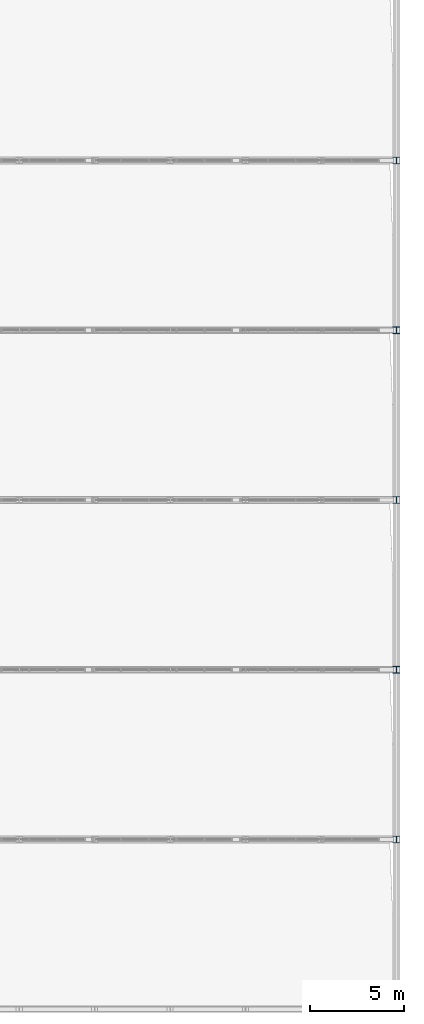
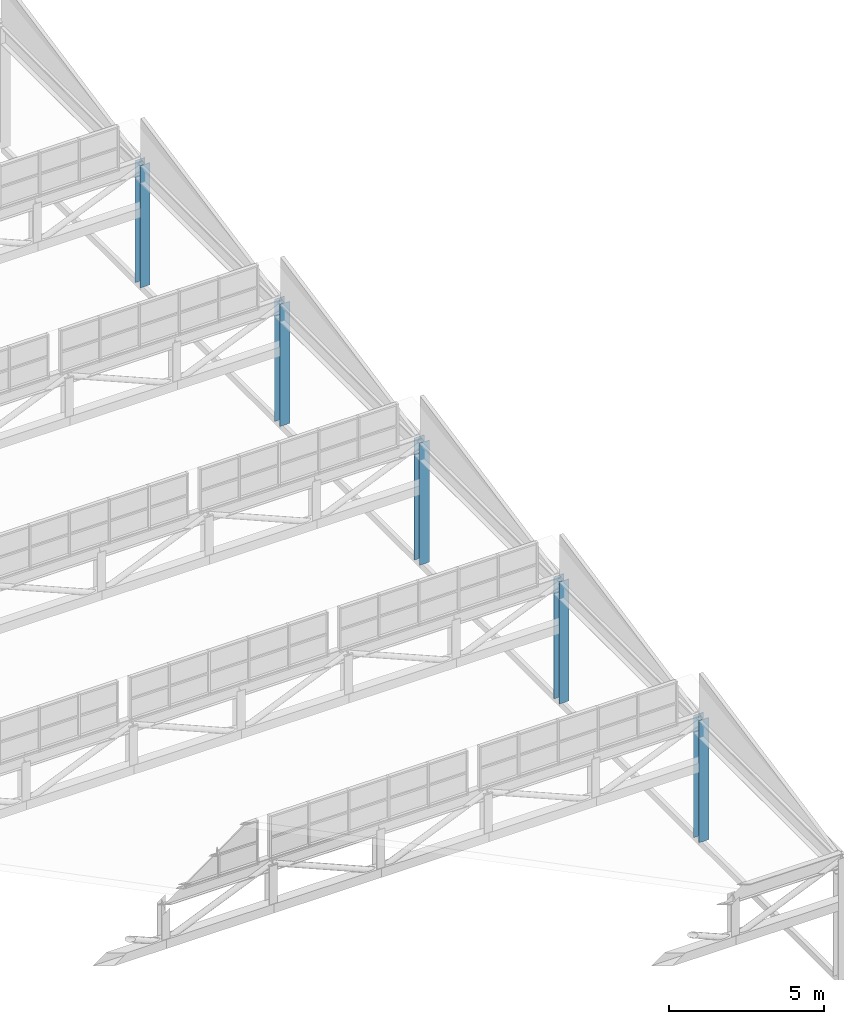
# One storey, part 25 of 159: 5 columns.
"""IFC4 building model written with IfcOpenShell, lengths in metres."""

from ifc_helpers import new_model, si_unit, direction, frame, origin, origin_2d, place, context, subcontext, project, spatial, i_section, extrude, material, material_profile, profile_set, type_object, element, save


model = new_model("IFC4")

# Units and contexts
model_context = context("Model", 3, precision=1e-05, world=origin(), true_north=direction((0.0, 1.0)))
body_context = subcontext(model_context, "Body", "Model", "MODEL_VIEW")
ifc_project = project(units=[si_unit("LENGTHUNIT", "METRE"), si_unit("AREAUNIT", "SQUARE_METRE"), si_unit("VOLUMEUNIT", "CUBIC_METRE"), si_unit("PLANEANGLEUNIT", "RADIAN"), si_unit("MASSUNIT", "GRAM", prefix="KILO")], contexts=[model_context])

# Site, building, storey
site_placement = place(None, origin())
site = spatial("IfcSite", under=ifc_project, at=site_placement, CompositionType="ELEMENT")
building_placement = place(site_placement, origin())
building = spatial("IfcBuilding", under=site, at=building_placement, Name="Cazmaro Siding Exhibition Halls", CompositionType="ELEMENT")
storey_placement = place(building_placement, frame((0.0, 0.0, 6.0)))
storey = spatial("IfcBuildingStorey", under=building, at=storey_placement, Name="L01", CompositionType="ELEMENT", Elevation=6.0)

# Columns
ifc_material = material(Name="Steel ASTM A992 Grade 50", Category="steel")
ifc_material_profile = material_profile(ifc_material, i_section(OverallWidth=0.367919921875, OverallDepth=0.35595703125, WebThickness=0.010986328125, FlangeThickness=0.01806640625, at=origin_2d()), Name="W14X90")
ifc_profile_set = profile_set([ifc_material_profile], Name="Steel ASTM A992 Grade 50")
column_type = type_object("IfcColumnType", Name="C-05", PredefinedType="COLUMN", material=ifc_profile_set)
for number, where, z_axis, x_axis, name in (
    (1, (216.0, 73.0, 0.0), (0.0, 0.0, 1.0), (1.0, 0.0, 0.0), "Column C-05 COL-0694"),
    (2, (216.0, 82.0, 0.0), (0.0, 0.0, 1.0), (1.0, 0.0, 0.0), "Column C-05 COL-0696"),
    (3, (216.0, 91.0, 0.0), (0.0, 0.0, 1.0), (1.0, 0.0, 0.0), "Column C-05 COL-0698"),
    (4, (216.0, 100.0, 0.0), (0.0, 0.0, 1.0), (1.0, 0.0, 0.0), "Column C-05 COL-0700"),
    (5, (216.0, 109.0, 0.0), (0.0, 0.0, 1.0), (1.0, 0.0, 0.0), "Column C-05 COL-0702"),
):
    element("IfcColumn", number, at=place(storey_placement, frame(where, z_axis=z_axis, x_axis=x_axis)), inside=storey, type_object=column_type, Name=name, PredefinedType="COLUMN", context=body_context, shape_type="SweptSolid", body=[
        extrude(i_section(OverallWidth=0.367919921875, OverallDepth=0.35595703125, WebThickness=0.010986328125, FlangeThickness=0.01806640625, at=origin_2d()), origin(), (0.0, 0.0, 1.0), 4.800048828125),
    ])

save(model, "model.ifc")
